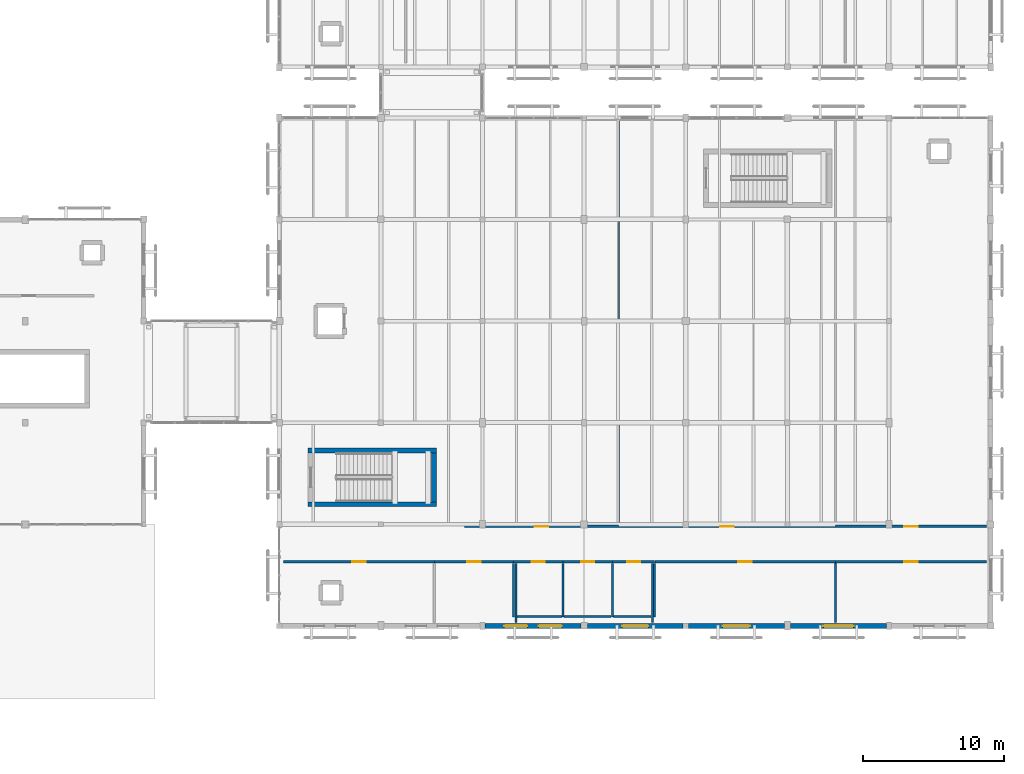
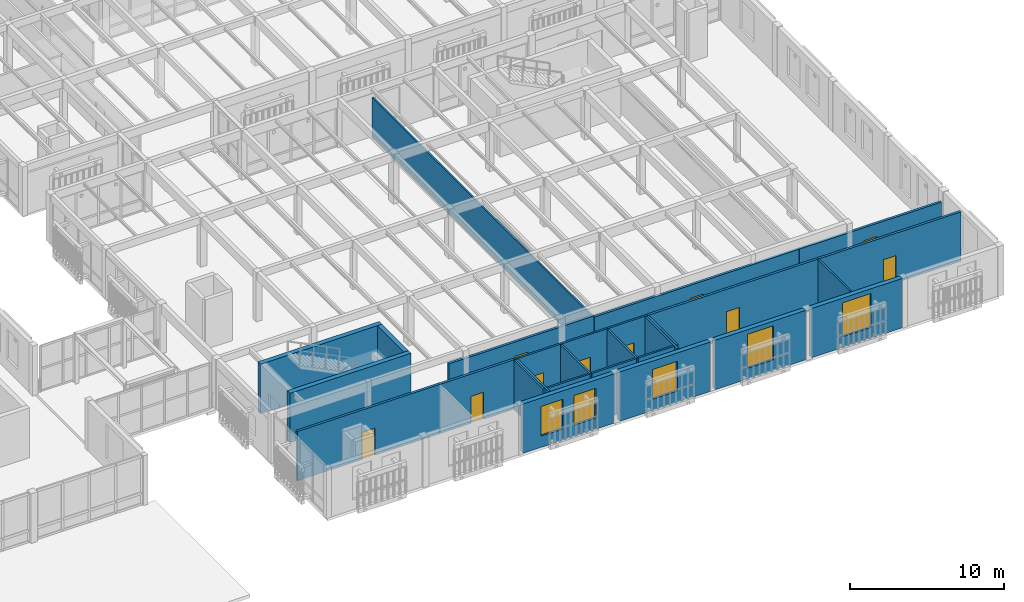
# One storey, part 184 of 217: 28 walls, 10 doors, 5 windows, 15 openings.
"""IFC4 building model written with IfcOpenShell, lengths in metres."""

from ifc_helpers import new_model, si_unit, direction, frame, frame_2d, origin, place, context, subcontext, project, spatial, rectangle, extrude, material, layer, layer_set, type_object, element, fill, save


model = new_model("IFC4")

# Units and contexts
model_context = context("Model", 3, precision=1e-05, world=origin(), true_north=direction((0.0, 1.0)))
body_context = subcontext(model_context, "Body", "Model", "MODEL_VIEW")
ifc_project = project(units=[si_unit("LENGTHUNIT", "METRE"), si_unit("AREAUNIT", "SQUARE_METRE"), si_unit("VOLUMEUNIT", "CUBIC_METRE"), si_unit("PLANEANGLEUNIT", "RADIAN"), si_unit("MASSUNIT", "GRAM", prefix="KILO")], contexts=[model_context])

# Site, building, storey
site_placement = place(None, origin())
site = spatial("IfcSite", under=ifc_project, at=site_placement, CompositionType="ELEMENT")
building_placement = place(site_placement, origin())
building = spatial("IfcBuilding", under=site, at=building_placement, Name="Mazaris Harbour Polytechnic", CompositionType="ELEMENT")
storey_placement = place(building_placement, frame((0.0, 0.0, 9.60009765625)))
storey = spatial("IfcBuildingStorey", under=building, at=storey_placement, Name="L02", CompositionType="ELEMENT", Elevation=9.60009765625)

# Walls
ifc_material_1 = material(Name="Gypsum Board and Mineral Wool")
ifc_layer_1 = layer(ifc_material_1, 0.1201171875, Name="Gypsum Board and Mineral Wool")
ifc_layer_set_1 = layer_set([ifc_layer_1], Name="Gypsum Board and Mineral Wool")
wall_type_1 = type_object("IfcWallType", Name="Acoustic Stud Partition 120", PredefinedType="PARTITIONING", material=ifc_layer_set_1)
wall_1_placement = place(storey_placement, frame((161.81396484375, 7.449951171875, 0.0), z_axis=(0.0, 0.0, 1.0), x_axis=(0.0, 1.0, 0.0)))
element("IfcWall", 1, at=wall_1_placement, inside=storey, type_object=wall_type_1, Name="V2 L02 Partition 148", PredefinedType="PARTITIONING", context=body_context, shape_type="SweptSolid", body=[
    extrude(rectangle(XDim=4.179931640625, YDim=0.1201171875, at=frame_2d((2.08984375, 0.0))), origin(), (0.0, 0.0, 1.0), 3.919921875),
])
wall_2_placement = place(storey_placement, frame((146.425048828125, 14.3701171875, 0.0), z_axis=(0.0, 0.0, 1.0), x_axis=(0.0, 1.0, 0.0)))
element("IfcWall", 2, at=wall_2_placement, inside=storey, type_object=wall_type_1, Name="V2 L02 Partition 151", PredefinedType="PARTITIONING", context=body_context, shape_type="SweptSolid", body=[
    extrude(rectangle(XDim=28.579833984375, YDim=0.1201171875, at=frame_2d((14.2900390625, 0.0))), origin(), (0.0, 0.0, 1.0), 3.179931640625),
])
ifc_material_2 = material(Name="Double Gypsum and Mineral Wool")
ifc_layer_2 = layer(ifc_material_2, 0.14990234375, Name="Double Gypsum and Mineral Wool")
ifc_layer_set_2 = layer_set([ifc_layer_2], Name="Double Gypsum and Mineral Wool")
wall_type_2 = type_object("IfcWallType", Name="Classroom Acoustic Partition 150", PredefinedType="PARTITIONING", material=ifc_layer_set_2)
for number, where, z_axis, x_axis, name in (
    (3, (139.159912109375, 7.449951171875, 0.0), (0.0, 0.0, 1.0), (0.0, 1.0, 0.0), "V2 L02 Partition 145"),
    (4, (148.840087890625, 7.449951171875, 0.0), (0.0, 0.0, 1.0), (0.0, 1.0, 0.0), "V2 L02 Partition 147"),
):
    element("IfcWall", number, at=place(storey_placement, frame(where, z_axis=z_axis, x_axis=x_axis)), inside=storey, type_object=wall_type_2, Name=name, PredefinedType="PARTITIONING", context=body_context, shape_type="SweptSolid", body=[
        extrude(rectangle(XDim=4.179931640625, YDim=0.14990234375, at=frame_2d((2.08984375, 0.0))), origin(), (0.0, 0.0, 1.0), 3.919921875),
    ])

# Wall, opening, door
ifc_material_3 = material(Name="Terracotta Block and Plaster", Category="masonry")
ifc_layer_3 = layer(ifc_material_3, 0.179931640625, Name="Terracotta Block and Plaster")
ifc_layer_set_3 = layer_set([ifc_layer_3], Name="Terracotta Block and Plaster")
wall_type_3 = type_object("IfcWallType", Name="Corridor Fire Partition 180", PredefinedType="PARTITIONING", material=ifc_layer_set_3)
wall_3_placement = place(storey_placement, frame((122.699951171875, 11.75, 0.0), z_axis=(0.0, 0.0, 1.0), x_axis=(1.0, 0.0, 0.0)))
wall_3 = element("IfcWall", 5, at=wall_3_placement, inside=storey, type_object=wall_type_3, Name="V2 L02 Partition 142", PredefinedType="PARTITIONING", context=body_context, shape_type="SweptSolid", body=[
    extrude(rectangle(XDim=10.68701171875, YDim=0.179931640625, at=frame_2d((5.343505859375, 0.0))), origin(), (0.0, 0.0, 1.0), 3.919921875),
])
opening_1_placement = place(wall_3_placement, frame((4.863525390625, 0.0, 0.0)))
opening_1 = element("IfcOpeningElement", 6, at=opening_1_placement, cuts=wall_3, Name="Opening ID-01R", PredefinedType="OPENING", context=body_context, shape_type="SweptSolid", body=[
    extrude(rectangle(XDim=0.9599609375, YDim=2.14990234375, at=frame_2d((0.47998046875, 1.074951171875))), frame((0.0, 0.099853515625, 0.0), z_axis=(0.0, -1.0, 0.0), x_axis=(1.0, 0.0, 0.0)), (0.0, 0.0, 1.0), 0.199951171875),
])
ifc_material_4 = material(Name="Solid Oak Timber", Category="wood")
door_type_1 = type_object("IfcDoorType", Name="Classroom Single Door RH 960x2150", OperationType="SINGLE_SWING_RIGHT", PredefinedType="DOOR", material=ifc_material_4)
door_1_placement = place(opening_1_placement, origin())
door_1 = element("IfcDoor", 7, at=door_1_placement, inside=storey, type_object=door_type_1, Name="ID-0067", OperationType="SINGLE_SWING_RIGHT", OverallHeight=2.14990234375, OverallWidth=0.9599609375, PredefinedType="DOOR", context=body_context, shape_type="SweptSolid", body=[
    extrude(rectangle(XDim=0.9599609375, YDim=2.14990234375, at=frame_2d((0.47998046875, 1.074951171875))), frame((0.0, 0.02490234375, 0.0), z_axis=(0.0, -1.0, 0.0), x_axis=(1.0, 0.0, 0.0)), (0.0, 0.0, 1.0), 0.050048828125),
])
fill(opening_1, door_1)

wall_4_placement = place(storey_placement, frame((133.39208984375, 11.75, 0.0), z_axis=(0.0, 0.0, 1.0), x_axis=(1.0, 0.0, 0.0)))
wall_4 = element("IfcWall", 8, at=wall_4_placement, inside=storey, type_object=wall_type_3, Name="V2 L02 Partition 144", PredefinedType="PARTITIONING", context=body_context, shape_type="SweptSolid", body=[
    extrude(rectangle(XDim=5.60302734375, YDim=0.179931640625, at=frame_2d((2.801513671875, 0.0))), origin(), (0.0, 0.0, 1.0), 3.919921875),
])
opening_2_placement = place(wall_4_placement, frame((2.326416015625, 0.0, 0.0)))
opening_2 = element("IfcOpeningElement", 9, at=opening_2_placement, cuts=wall_4, Name="Opening ID-01L", PredefinedType="OPENING", context=body_context, shape_type="SweptSolid", body=[
    extrude(rectangle(XDim=0.949951171875, YDim=2.14990234375, at=frame_2d((0.47509765625, 1.074951171875))), frame((0.0, 0.099853515625, 0.0), z_axis=(0.0, -1.0, 0.0), x_axis=(1.0, 0.0, 0.0)), (0.0, 0.0, 1.0), 0.199951171875),
])
ifc_material_5 = material(Name="Solid Oak Timber", Category="wood")
door_type_2 = type_object("IfcDoorType", Name="Classroom Single Door LH 950x2150", OperationType="SINGLE_SWING_LEFT", PredefinedType="DOOR", material=ifc_material_5)
door_2_placement = place(opening_2_placement, origin())
door_2 = element("IfcDoor", 10, at=door_2_placement, inside=storey, type_object=door_type_2, Name="ID-0068", OperationType="SINGLE_SWING_LEFT", OverallHeight=2.14990234375, OverallWidth=0.949951171875, PredefinedType="DOOR", context=body_context, shape_type="SweptSolid", body=[
    extrude(rectangle(XDim=0.949951171875, YDim=2.14990234375, at=frame_2d((0.47509765625, 1.074951171875))), frame((0.0, 0.02490234375, 0.0), z_axis=(0.0, -1.0, 0.0), x_axis=(1.0, 0.0, 0.0)), (0.0, 0.0, 1.0), 0.050048828125),
])
fill(opening_2, door_2)

wall_5_placement = place(storey_placement, frame((149.0048828125, 11.75, 0.0), z_axis=(0.0, 0.0, 1.0), x_axis=(1.0, 0.0, 0.0)))
wall_5 = element("IfcWall", 11, at=wall_5_placement, inside=storey, type_object=wall_type_3, Name="V2 L02 Partition 146", PredefinedType="PARTITIONING", context=body_context, shape_type="SweptSolid", body=[
    extrude(rectangle(XDim=12.80908203125, YDim=0.179931640625, at=frame_2d((6.404541015625, 0.0))), origin(), (0.0, 0.0, 1.0), 3.919921875),
])
opening_3_placement = place(wall_5_placement, frame((5.924560546875, 0.0, 0.0)))
opening_3 = element("IfcOpeningElement", 12, at=opening_3_placement, cuts=wall_5, Name="Opening ID-01R", PredefinedType="OPENING", context=body_context, shape_type="SweptSolid", body=[
    extrude(rectangle(XDim=0.9599609375, YDim=2.14990234375, at=frame_2d((0.47998046875, 1.074951171875))), frame((0.0, 0.099853515625, 0.0), z_axis=(0.0, -1.0, 0.0), x_axis=(1.0, 0.0, 0.0)), (0.0, 0.0, 1.0), 0.199951171875),
])
door_3_placement = place(opening_3_placement, origin())
door_3 = element("IfcDoor", 13, at=door_3_placement, inside=storey, type_object=door_type_1, Name="ID-0069", OperationType="SINGLE_SWING_RIGHT", OverallHeight=2.14990234375, OverallWidth=0.9599609375, PredefinedType="DOOR", context=body_context, shape_type="SweptSolid", body=[
    extrude(rectangle(XDim=0.9599609375, YDim=2.14990234375, at=frame_2d((0.47998046875, 1.074951171875))), frame((0.0, 0.02490234375, 0.0), z_axis=(0.0, -1.0, 0.0), x_axis=(1.0, 0.0, 0.0)), (0.0, 0.0, 1.0), 0.050048828125),
])
fill(opening_3, door_3)

wall_6_placement = place(storey_placement, frame((161.819091796875, 11.75, 0.0), z_axis=(0.0, 0.0, 1.0), x_axis=(1.0, 0.0, 0.0)))
wall_6 = element("IfcWall", 14, at=wall_6_placement, inside=storey, type_object=wall_type_3, Name="V2 L02 Partition 149", PredefinedType="PARTITIONING", context=body_context, shape_type="SweptSolid", body=[
    extrude(rectangle(XDim=10.681884765625, YDim=0.179931640625, at=frame_2d((5.3408203125, 0.0))), origin(), (0.0, 0.0, 1.0), 3.919921875),
])
opening_4_placement = place(wall_6_placement, frame((4.865966796875, 0.0, 0.0)))
opening_4 = element("IfcOpeningElement", 15, at=opening_4_placement, cuts=wall_6, Name="Opening ID-01L", PredefinedType="OPENING", context=body_context, shape_type="SweptSolid", body=[
    extrude(rectangle(XDim=0.949951171875, YDim=2.14990234375, at=frame_2d((0.47509765625, 1.074951171875))), frame((0.0, 0.099853515625, 0.0), z_axis=(0.0, -1.0, 0.0), x_axis=(1.0, 0.0, 0.0)), (0.0, 0.0, 1.0), 0.199951171875),
])
door_4_placement = place(opening_4_placement, origin())
door_4 = element("IfcDoor", 16, at=door_4_placement, inside=storey, type_object=door_type_2, Name="ID-0070", OperationType="SINGLE_SWING_LEFT", OverallHeight=2.14990234375, OverallWidth=0.949951171875, PredefinedType="DOOR", context=body_context, shape_type="SweptSolid", body=[
    extrude(rectangle(XDim=0.949951171875, YDim=2.14990234375, at=frame_2d((0.47509765625, 1.074951171875))), frame((0.0, 0.02490234375, 0.0), z_axis=(0.0, -1.0, 0.0), x_axis=(1.0, 0.0, 0.0)), (0.0, 0.0, 1.0), 0.050048828125),
])
fill(opening_4, door_4)

wall_7_placement = place(storey_placement, frame((135.52001953125, 14.25, 0.0), z_axis=(0.0, 0.0, 1.0), x_axis=(1.0, 0.0, 0.0)))
wall_7 = element("IfcWall", 17, at=wall_7_placement, inside=storey, type_object=wall_type_3, Name="V2 L02 Partition 150", PredefinedType="PARTITIONING", context=body_context, shape_type="SweptSolid", body=[
    extrude(rectangle(XDim=10.905029296875, YDim=0.179931640625, at=frame_2d((5.45263671875, 0.0))), origin(), (0.0, 0.0, 1.0), 3.27978515625),
])
opening_5_placement = place(wall_7_placement, frame((4.9775390625, 0.0, 0.0)))
opening_5 = element("IfcOpeningElement", 18, at=opening_5_placement, cuts=wall_7, Name="Opening ID-01L", PredefinedType="OPENING", context=body_context, shape_type="SweptSolid", body=[
    extrude(rectangle(XDim=0.949951171875, YDim=2.14990234375, at=frame_2d((0.47509765625, 1.074951171875))), frame((0.0, 0.099853515625, 0.0), z_axis=(0.0, -1.0, 0.0), x_axis=(1.0, 0.0, 0.0)), (0.0, 0.0, 1.0), 0.199951171875),
])
door_5_placement = place(opening_5_placement, origin())
door_5 = element("IfcDoor", 19, at=door_5_placement, inside=storey, type_object=door_type_2, Name="ID-0071", OperationType="SINGLE_SWING_LEFT", OverallHeight=2.14990234375, OverallWidth=0.949951171875, PredefinedType="DOOR", context=body_context, shape_type="SweptSolid", body=[
    extrude(rectangle(XDim=0.949951171875, YDim=2.14990234375, at=frame_2d((0.47509765625, 1.074951171875))), frame((0.0, 0.02490234375, 0.0), z_axis=(0.0, -1.0, 0.0), x_axis=(1.0, 0.0, 0.0)), (0.0, 0.0, 1.0), 0.050048828125),
])
fill(opening_5, door_5)

wall_8_placement = place(storey_placement, frame((146.429931640625, 14.25, 0.0), z_axis=(0.0, 0.0, 1.0), x_axis=(1.0, 0.0, 0.0)))
wall_8 = element("IfcWall", 20, at=wall_8_placement, inside=storey, type_object=wall_type_3, Name="V2 L02 Partition 152", PredefinedType="PARTITIONING", context=body_context, shape_type="SweptSolid", body=[
    extrude(rectangle(XDim=15.384033203125, YDim=0.179931640625, at=frame_2d((7.69189453125, 0.0))), origin(), (0.0, 0.0, 1.0), 3.179931640625),
])
opening_6_placement = place(wall_8_placement, frame((7.2119140625, 0.0, 0.0)))
opening_6 = element("IfcOpeningElement", 21, at=opening_6_placement, cuts=wall_8, Name="Opening ID-01R", PredefinedType="OPENING", context=body_context, shape_type="SweptSolid", body=[
    extrude(rectangle(XDim=0.9599609375, YDim=2.14990234375, at=frame_2d((0.47998046875, 1.074951171875))), frame((0.0, 0.099853515625, 0.0), z_axis=(0.0, -1.0, 0.0), x_axis=(1.0, 0.0, 0.0)), (0.0, 0.0, 1.0), 0.199951171875),
])
door_6_placement = place(opening_6_placement, origin())
door_6 = element("IfcDoor", 22, at=door_6_placement, inside=storey, type_object=door_type_1, Name="ID-0072", OperationType="SINGLE_SWING_RIGHT", OverallHeight=2.14990234375, OverallWidth=0.9599609375, PredefinedType="DOOR", context=body_context, shape_type="SweptSolid", body=[
    extrude(rectangle(XDim=0.9599609375, YDim=2.14990234375, at=frame_2d((0.47998046875, 1.074951171875))), frame((0.0, 0.02490234375, 0.0), z_axis=(0.0, -1.0, 0.0), x_axis=(1.0, 0.0, 0.0)), (0.0, 0.0, 1.0), 0.050048828125),
])
fill(opening_6, door_6)

wall_9_placement = place(storey_placement, frame((161.819091796875, 14.25, 0.0), z_axis=(0.0, 0.0, 1.0), x_axis=(1.0, 0.0, 0.0)))
wall_9 = element("IfcWall", 23, at=wall_9_placement, inside=storey, type_object=wall_type_3, Name="V2 L02 Partition 154", PredefinedType="PARTITIONING", context=body_context, shape_type="SweptSolid", body=[
    extrude(rectangle(XDim=10.681884765625, YDim=0.179931640625, at=frame_2d((5.3408203125, 0.0))), origin(), (0.0, 0.0, 1.0), 3.179931640625),
])
opening_7_placement = place(wall_9_placement, frame((4.865966796875, 0.0, 0.0)))
opening_7 = element("IfcOpeningElement", 24, at=opening_7_placement, cuts=wall_9, Name="Opening ID-01L", PredefinedType="OPENING", context=body_context, shape_type="SweptSolid", body=[
    extrude(rectangle(XDim=0.949951171875, YDim=2.14990234375, at=frame_2d((0.47509765625, 1.074951171875))), frame((0.0, 0.099853515625, 0.0), z_axis=(0.0, -1.0, 0.0), x_axis=(1.0, 0.0, 0.0)), (0.0, 0.0, 1.0), 0.199951171875),
])
door_7_placement = place(opening_7_placement, origin())
door_7 = element("IfcDoor", 25, at=door_7_placement, inside=storey, type_object=door_type_2, Name="ID-0073", OperationType="SINGLE_SWING_LEFT", OverallHeight=2.14990234375, OverallWidth=0.949951171875, PredefinedType="DOOR", context=body_context, shape_type="SweptSolid", body=[
    extrude(rectangle(XDim=0.949951171875, YDim=2.14990234375, at=frame_2d((0.47509765625, 1.074951171875))), frame((0.0, 0.02490234375, 0.0), z_axis=(0.0, -1.0, 0.0), x_axis=(1.0, 0.0, 0.0)), (0.0, 0.0, 1.0), 0.050048828125),
])
fill(opening_7, door_7)

# Wall, openings, windows
ifc_material_6 = material(Name="Algerian Buff Limestone and Concrete C30/37", Category="masonry")
ifc_layer_4 = layer(ifc_material_6, 0.344970703125, Name="Algerian Buff Limestone and Concrete C30/37")
ifc_layer_set_4 = layer_set([ifc_layer_4], Name="Algerian Buff Limestone and Concrete C30/37")
wall_type_4 = type_object("IfcWallType", Name="Pavilion Gable Wall 345", PredefinedType="STANDARD", material=ifc_layer_set_4)
wall_10_placement = place(storey_placement, frame((143.778076171875, 7.199951171875, 0.0), z_axis=(0.0, 0.0, 1.0), x_axis=(-1.0, 0.0, 0.0)))
wall_10 = element("IfcWall", 26, at=wall_10_placement, inside=storey, type_object=wall_type_4, Name="V2 L02 Exterior Wall 69", PredefinedType="STANDARD", context=body_context, shape_type="SweptSolid", body=[
    extrude(rectangle(XDim=6.80615234375, YDim=0.344970703125, at=frame_2d((3.403076171875, 0.0))), origin(), (0.0, 0.0, 1.0), 3.919921875),
])
opening_8_placement = place(wall_10_placement, frame((1.35302734375, 0.0, 0.89990234375)))
opening_8 = element("IfcOpeningElement", 27, at=opening_8_placement, cuts=wall_10, Name="Opening WN-20", PredefinedType="OPENING", context=body_context, shape_type="SweptSolid", body=[
    extrude(rectangle(XDim=1.64990234375, YDim=2.35009765625, at=frame_2d((0.824951171875, 1.175048828125))), frame((0.0, 0.182373046875, 0.0), z_axis=(0.0, -1.0, 0.0), x_axis=(1.0, 0.0, 0.0)), (0.0, 0.0, 1.0), 0.364990234375),
])
opening_9_placement = place(wall_10_placement, frame((3.802978515625, 0.0, 0.89990234375)))
opening_9 = element("IfcOpeningElement", 28, at=opening_9_placement, cuts=wall_10, Name="Opening WN-20", PredefinedType="OPENING", context=body_context, shape_type="SweptSolid", body=[
    extrude(rectangle(XDim=1.64990234375, YDim=2.35009765625, at=frame_2d((0.824951171875, 1.175048828125))), frame((0.0, 0.182373046875, 0.0), z_axis=(0.0, -1.0, 0.0), x_axis=(1.0, 0.0, 0.0)), (0.0, 0.0, 1.0), 0.364990234375),
])
ifc_material_7 = material(Name="Thermally Broken Bronze Aluminium and Low-E Glass", Category="aluminium")
window_type_1 = type_object("IfcWindowType", Name="Courtyard Gallery Window 1650x2350", PartitioningType="DOUBLE_PANEL_VERTICAL", PredefinedType="WINDOW", material=ifc_material_7)
window_1_placement = place(opening_8_placement, origin())
window_1 = element("IfcWindow", 29, at=window_1_placement, inside=storey, type_object=window_type_1, Name="WN-0063", OverallHeight=2.35009765625, OverallWidth=1.64990234375, PartitioningType="DOUBLE_PANEL_VERTICAL", PredefinedType="WINDOW", context=body_context, shape_type="SweptSolid", body=[
    extrude(rectangle(XDim=1.64990234375, YDim=2.35009765625, at=frame_2d((0.824951171875, 1.175048828125))), frame((0.0, 0.030029296875, 0.0), z_axis=(0.0, -1.0, 0.0), x_axis=(1.0, 0.0, 0.0)), (0.0, 0.0, 1.0), 0.06005859375),
])
fill(opening_8, window_1)
window_2_placement = place(opening_9_placement, origin())
window_2 = element("IfcWindow", 30, at=window_2_placement, inside=storey, type_object=window_type_1, Name="WN-0064", OverallHeight=2.35009765625, OverallWidth=1.64990234375, PartitioningType="DOUBLE_PANEL_VERTICAL", PredefinedType="WINDOW", context=body_context, shape_type="SweptSolid", body=[
    extrude(rectangle(XDim=1.64990234375, YDim=2.35009765625, at=frame_2d((0.824951171875, 1.175048828125))), frame((0.0, 0.030029296875, 0.0), z_axis=(0.0, -1.0, 0.0), x_axis=(1.0, 0.0, 0.0)), (0.0, 0.0, 1.0), 0.06005859375),
])
fill(opening_9, window_2)

# Wall, opening, window
wall_11_placement = place(storey_placement, frame((151.01806640625, 7.199951171875, 0.0), z_axis=(0.0, 0.0, 1.0), x_axis=(-1.0, 0.0, 0.0)))
wall_11 = element("IfcWall", 31, at=wall_11_placement, inside=storey, type_object=wall_type_4, Name="V2 L02 Exterior Wall 70", PredefinedType="STANDARD", context=body_context, shape_type="SweptSolid", body=[
    extrude(rectangle(XDim=6.796142578125, YDim=0.344970703125, at=frame_2d((3.39794921875, 0.0))), origin(), (0.0, 0.0, 1.0), 3.919921875),
])
opening_10_placement = place(wall_11_placement, frame((2.472900390625, 0.0, 0.89990234375)))
opening_10 = element("IfcOpeningElement", 32, at=opening_10_placement, cuts=wall_11, Name="Opening WN-21", PredefinedType="OPENING", context=body_context, shape_type="SweptSolid", body=[
    extrude(rectangle(XDim=1.85009765625, YDim=2.35009765625, at=frame_2d((0.925048828125, 1.175048828125))), frame((0.0, 0.182373046875, 0.0), z_axis=(0.0, -1.0, 0.0), x_axis=(1.0, 0.0, 0.0)), (0.0, 0.0, 1.0), 0.364990234375),
])
ifc_material_8 = material(Name="Thermally Broken Bronze Aluminium and Low-E Glass", Category="aluminium")
window_type_2 = type_object("IfcWindowType", Name="Courtyard Gallery Window 1850x2350", PartitioningType="DOUBLE_PANEL_VERTICAL", PredefinedType="WINDOW", material=ifc_material_8)
window_3_placement = place(opening_10_placement, origin())
window_3 = element("IfcWindow", 33, at=window_3_placement, inside=storey, type_object=window_type_2, Name="WN-0065", OverallHeight=2.35009765625, OverallWidth=1.85009765625, PartitioningType="DOUBLE_PANEL_VERTICAL", PredefinedType="WINDOW", context=body_context, shape_type="SweptSolid", body=[
    extrude(rectangle(XDim=1.85009765625, YDim=2.35009765625, at=frame_2d((0.925048828125, 1.175048828125))), frame((0.0, 0.030029296875, 0.0), z_axis=(0.0, -1.0, 0.0), x_axis=(1.0, 0.0, 0.0)), (0.0, 0.0, 1.0), 0.06005859375),
])
fill(opening_10, window_3)

wall_12_placement = place(storey_placement, frame((158.18798828125, 7.199951171875, 0.0), z_axis=(0.0, 0.0, 1.0), x_axis=(-1.0, 0.0, 0.0)))
wall_12 = element("IfcWall", 34, at=wall_12_placement, inside=storey, type_object=wall_type_4, Name="V2 L02 Exterior Wall 71", PredefinedType="STANDARD", context=body_context, shape_type="SweptSolid", body=[
    extrude(rectangle(XDim=6.805908203125, YDim=0.344970703125, at=frame_2d((3.40283203125, 0.0))), origin(), (0.0, 0.0, 1.0), 3.919921875),
])
opening_11_placement = place(wall_12_placement, frame((2.427978515625, 0.0, 0.85009765625)))
opening_11 = element("IfcOpeningElement", 35, at=opening_11_placement, cuts=wall_12, Name="Opening WN-22", PredefinedType="OPENING", context=body_context, shape_type="SweptSolid", body=[
    extrude(rectangle(XDim=1.949951171875, YDim=2.699951171875, at=frame_2d((0.97509765625, 1.35009765625))), frame((0.0, 0.182373046875, 0.0), z_axis=(0.0, -1.0, 0.0), x_axis=(1.0, 0.0, 0.0)), (0.0, 0.0, 1.0), 0.364990234375),
])
ifc_material_9 = material(Name="Thermally Broken Bronze Aluminium and Low-E Glass", Category="aluminium")
window_type_3 = type_object("IfcWindowType", Name="Harbour Promenade Window 1950x2700", PartitioningType="DOUBLE_PANEL_VERTICAL", PredefinedType="WINDOW", material=ifc_material_9)
window_4_placement = place(opening_11_placement, origin())
window_4 = element("IfcWindow", 36, at=window_4_placement, inside=storey, type_object=window_type_3, Name="WN-0066", OverallHeight=2.699951171875, OverallWidth=1.949951171875, PartitioningType="DOUBLE_PANEL_VERTICAL", PredefinedType="WINDOW", context=body_context, shape_type="SweptSolid", body=[
    extrude(rectangle(XDim=1.949951171875, YDim=2.699951171875, at=frame_2d((0.97509765625, 1.35009765625))), frame((0.0, 0.030029296875, 0.0), z_axis=(0.0, -1.0, 0.0), x_axis=(1.0, 0.0, 0.0)), (0.0, 0.0, 1.0), 0.06005859375),
])
fill(opening_11, window_4)

wall_13_placement = place(storey_placement, frame((165.427978515625, 7.199951171875, 0.0), z_axis=(0.0, 0.0, 1.0), x_axis=(-1.0, 0.0, 0.0)))
wall_13 = element("IfcWall", 37, at=wall_13_placement, inside=storey, type_object=wall_type_4, Name="V2 L02 Exterior Wall 72", PredefinedType="STANDARD", context=body_context, shape_type="SweptSolid", body=[
    extrude(rectangle(XDim=6.81591796875, YDim=0.344970703125, at=frame_2d((3.407958984375, 0.0))), origin(), (0.0, 0.0, 1.0), 3.919921875),
])
opening_12_placement = place(wall_13_placement, frame((2.3330078125, 0.0, 0.85009765625)))
opening_12 = element("IfcOpeningElement", 38, at=opening_12_placement, cuts=wall_13, Name="Opening WN-23", PredefinedType="OPENING", context=body_context, shape_type="SweptSolid", body=[
    extrude(rectangle(XDim=2.14990234375, YDim=2.699951171875, at=frame_2d((1.074951171875, 1.35009765625))), frame((0.0, 0.182373046875, 0.0), z_axis=(0.0, -1.0, 0.0), x_axis=(1.0, 0.0, 0.0)), (0.0, 0.0, 1.0), 0.364990234375),
])
ifc_material_10 = material(Name="Thermally Broken Bronze Aluminium and Low-E Glass", Category="aluminium")
window_type_4 = type_object("IfcWindowType", Name="Harbour Promenade Window 2150x2700", PartitioningType="DOUBLE_PANEL_VERTICAL", PredefinedType="WINDOW", material=ifc_material_10)
window_5_placement = place(opening_12_placement, origin())
window_5 = element("IfcWindow", 39, at=window_5_placement, inside=storey, type_object=window_type_4, Name="WN-0067", OverallHeight=2.699951171875, OverallWidth=2.14990234375, PartitioningType="DOUBLE_PANEL_VERTICAL", PredefinedType="WINDOW", context=body_context, shape_type="SweptSolid", body=[
    extrude(rectangle(XDim=2.14990234375, YDim=2.699951171875, at=frame_2d((1.074951171875, 1.35009765625))), frame((0.0, 0.030029296875, 0.0), z_axis=(0.0, -1.0, 0.0), x_axis=(1.0, 0.0, 0.0)), (0.0, 0.0, 1.0), 0.06005859375),
])
fill(opening_12, window_5)

# Walls
ifc_material_11 = material(Name="Concrete C40/50", Category="concrete")
ifc_layer_5 = layer(ifc_material_11, 0.35009765625, Name="Concrete C40/50")
ifc_layer_set_5 = layer_set([ifc_layer_5], Name="Concrete C40/50")
wall_type_5 = type_object("IfcWallType", Name="RC Core Shear Wall 350", PredefinedType="SHEAR", material=ifc_layer_set_5)
for number, where, z_axis, x_axis, name in (
    (40, (124.449951171875, 15.824951171875, 0.0), (0.0, 0.0, 1.0), (1.0, 0.0, 0.0), "Core ST03 L02 Shear Wall S"),
    (41, (133.550048828125, 19.625, 0.0), (0.0, 0.0, 1.0), (-1.0, 0.0, 0.0), "Core ST03 L02 Shear Wall N"),
):
    element("IfcWall", number, at=place(storey_placement, frame(where, z_axis=z_axis, x_axis=x_axis)), inside=storey, type_object=wall_type_5, Name=name, PredefinedType="SHEAR", context=body_context, shape_type="SweptSolid", body=[
        extrude(rectangle(XDim=9.10009765625, YDim=0.35009765625, at=frame_2d((4.550048828125, 0.0))), origin(), (0.0, 0.0, 1.0), 3.919921875),
    ])
wall_14_placement = place(storey_placement, frame((133.375, 16.0, 0.0), z_axis=(0.0, 0.0, 1.0), x_axis=(0.0, 1.0, 0.0)))
element("IfcWall", 42, at=wall_14_placement, inside=storey, type_object=wall_type_5, Name="Core ST03 L02 Shear Wall E", PredefinedType="SHEAR", context=body_context, shape_type="SweptSolid", body=[
    extrude(rectangle(XDim=3.449951171875, YDim=0.35009765625, at=frame_2d((1.72509765625, 0.0))), origin(), (0.0, 0.0, 1.0), 3.919921875),
])

# Wall, opening, door
ifc_material_12 = material(Name="Moisture-Resistant Gypsum and Steel Stud", Category="steel")
ifc_layer_6 = layer(ifc_material_12, 0.14501953125, Name="Moisture-Resistant Gypsum and Steel Stud")
ifc_layer_set_6 = layer_set([ifc_layer_6], Name="Moisture-Resistant Gypsum and Steel Stud")
wall_type_6 = type_object("IfcWallType", Name="Sanitary Plumbing Wall 145", PredefinedType="PLUMBINGWALL", material=ifc_layer_set_6)
wall_15_placement = place(storey_placement, frame((139.0, 11.75, 0.0), z_axis=(0.0, 0.0, 1.0), x_axis=(1.0, 0.0, 0.0)))
wall_15 = element("IfcWall", 43, at=wall_15_placement, inside=storey, type_object=wall_type_6, Name="V2 L02 Partition 135", PredefinedType="PLUMBINGWALL", context=body_context, shape_type="SweptSolid", body=[
    extrude(rectangle(XDim=3.5, YDim=0.14501953125, at=frame_2d((1.75, 0.0))), origin(), (0.0, 0.0, 1.0), 3.919921875),
])
opening_13_placement = place(wall_15_placement, frame((1.300048828125, 0.0, 0.0)))
opening_13 = element("IfcOpeningElement", 44, at=opening_13_placement, cuts=wall_15, Name="Opening ID-07R", PredefinedType="OPENING", context=body_context, shape_type="SweptSolid", body=[
    extrude(rectangle(XDim=0.89990234375, YDim=2.10009765625, at=frame_2d((0.449951171875, 1.050048828125))), frame((0.0, 0.08251953125, 0.0), z_axis=(0.0, -1.0, 0.0), x_axis=(1.0, 0.0, 0.0)), (0.0, 0.0, 1.0), 0.1650390625),
])
ifc_material_13 = material(Name="Moisture-Resistant Laminate Timber", Category="wood")
door_type_3 = type_object("IfcDoorType", Name="Sanitary Room Door RH 900x2100", OperationType="SINGLE_SWING_RIGHT", PredefinedType="DOOR", material=ifc_material_13)
door_8_placement = place(opening_13_placement, origin())
door_8 = element("IfcDoor", 45, at=door_8_placement, inside=storey, type_object=door_type_3, Name="ID-0064", OperationType="SINGLE_SWING_RIGHT", OverallHeight=2.10009765625, OverallWidth=0.89990234375, PredefinedType="DOOR", context=body_context, shape_type="SweptSolid", body=[
    extrude(rectangle(XDim=0.89990234375, YDim=2.10009765625, at=frame_2d((0.449951171875, 1.050048828125))), frame((0.0, 0.02490234375, 0.0), z_axis=(0.0, -1.0, 0.0), x_axis=(1.0, 0.0, 0.0)), (0.0, 0.0, 1.0), 0.050048828125),
])
fill(opening_13, door_8)

# Walls
for number, where, z_axis, x_axis, name in (
    (46, (139.0, 7.85009765625, 0.0), (0.0, 0.0, 1.0), (0.0, 1.0, 0.0), "V2 L02 Partition 136"),
    (47, (142.5, 7.85009765625, 0.0), (0.0, 0.0, 1.0), (0.0, 1.0, 0.0), "V2 L02 Partition 137"),
):
    element("IfcWall", number, at=place(storey_placement, frame(where, z_axis=z_axis, x_axis=x_axis)), inside=storey, type_object=wall_type_6, Name=name, PredefinedType="PLUMBINGWALL", context=body_context, shape_type="SweptSolid", body=[
        extrude(rectangle(XDim=3.77978515625, YDim=0.14501953125, at=frame_2d((1.889892578125, 0.0))), origin(), (0.0, 0.0, 1.0), 3.919921875),
    ])

# Wall, opening, door
wall_16_placement = place(storey_placement, frame((142.5048828125, 11.75, 0.0), z_axis=(0.0, 0.0, 1.0), x_axis=(1.0, 0.0, 0.0)))
wall_16 = element("IfcWall", 48, at=wall_16_placement, inside=storey, type_object=wall_type_6, Name="V2 L02 Partition 138", PredefinedType="PLUMBINGWALL", context=body_context, shape_type="SweptSolid", body=[
    extrude(rectangle(XDim=3.4951171875, YDim=0.14501953125, at=frame_2d((1.74755859375, 0.0))), origin(), (0.0, 0.0, 1.0), 3.919921875),
])
opening_14_placement = place(wall_16_placement, frame((1.297607421875, 0.0, 0.0)))
opening_14 = element("IfcOpeningElement", 49, at=opening_14_placement, cuts=wall_16, Name="Opening ID-07R", PredefinedType="OPENING", context=body_context, shape_type="SweptSolid", body=[
    extrude(rectangle(XDim=0.89990234375, YDim=2.10009765625, at=frame_2d((0.449951171875, 1.050048828125))), frame((0.0, 0.08251953125, 0.0), z_axis=(0.0, -1.0, 0.0), x_axis=(1.0, 0.0, 0.0)), (0.0, 0.0, 1.0), 0.1650390625),
])
door_9_placement = place(opening_14_placement, origin())
door_9 = element("IfcDoor", 50, at=door_9_placement, inside=storey, type_object=door_type_3, Name="ID-0065", OperationType="SINGLE_SWING_RIGHT", OverallHeight=2.10009765625, OverallWidth=0.89990234375, PredefinedType="DOOR", context=body_context, shape_type="SweptSolid", body=[
    extrude(rectangle(XDim=0.89990234375, YDim=2.10009765625, at=frame_2d((0.449951171875, 1.050048828125))), frame((0.0, 0.02490234375, 0.0), z_axis=(0.0, -1.0, 0.0), x_axis=(1.0, 0.0, 0.0)), (0.0, 0.0, 1.0), 0.050048828125),
])
fill(opening_14, door_9)

# Wall
wall_17_placement = place(storey_placement, frame((146.0, 7.85009765625, 0.0), z_axis=(0.0, 0.0, 1.0), x_axis=(0.0, 1.0, 0.0)))
element("IfcWall", 51, at=wall_17_placement, inside=storey, type_object=wall_type_6, Name="V2 L02 Partition 139", PredefinedType="PLUMBINGWALL", context=body_context, shape_type="SweptSolid", body=[
    extrude(rectangle(XDim=3.77978515625, YDim=0.14501953125, at=frame_2d((1.889892578125, 0.0))), origin(), (0.0, 0.0, 1.0), 3.919921875),
])

# Wall, opening, door
wall_18_placement = place(storey_placement, frame((146.0048828125, 11.75, 0.0), z_axis=(0.0, 0.0, 1.0), x_axis=(1.0, 0.0, 0.0)))
wall_18 = element("IfcWall", 52, at=wall_18_placement, inside=storey, type_object=wall_type_6, Name="V2 L02 Partition 140", PredefinedType="PLUMBINGWALL", context=body_context, shape_type="SweptSolid", body=[
    extrude(rectangle(XDim=2.9951171875, YDim=0.14501953125, at=frame_2d((1.49755859375, 0.0))), origin(), (0.0, 0.0, 1.0), 3.919921875),
])
opening_15_placement = place(wall_18_placement, frame((1.03759765625, 0.0, 0.0)))
opening_15 = element("IfcOpeningElement", 53, at=opening_15_placement, cuts=wall_18, Name="Opening ID-07L", PredefinedType="OPENING", context=body_context, shape_type="SweptSolid", body=[
    extrude(rectangle(XDim=0.919921875, YDim=2.10009765625, at=frame_2d((0.4599609375, 1.050048828125))), frame((0.0, 0.08251953125, 0.0), z_axis=(0.0, -1.0, 0.0), x_axis=(1.0, 0.0, 0.0)), (0.0, 0.0, 1.0), 0.1650390625),
])
ifc_material_14 = material(Name="Moisture-Resistant Laminate Timber", Category="wood")
door_type_4 = type_object("IfcDoorType", Name="Accessible Toilet Door LH 920x2100", OperationType="SINGLE_SWING_LEFT", PredefinedType="DOOR", material=ifc_material_14)
door_10_placement = place(opening_15_placement, origin())
door_10 = element("IfcDoor", 54, at=door_10_placement, inside=storey, type_object=door_type_4, Name="ID-0066", OperationType="SINGLE_SWING_LEFT", OverallHeight=2.10009765625, OverallWidth=0.919921875, PredefinedType="DOOR", context=body_context, shape_type="SweptSolid", body=[
    extrude(rectangle(XDim=0.919921875, YDim=2.10009765625, at=frame_2d((0.4599609375, 1.050048828125))), frame((0.0, 0.02490234375, 0.0), z_axis=(0.0, -1.0, 0.0), x_axis=(1.0, 0.0, 0.0)), (0.0, 0.0, 1.0), 0.050048828125),
])
fill(opening_15, door_10)

# Walls
wall_19_placement = place(storey_placement, frame((149.0, 7.85009765625, 0.0), z_axis=(0.0, 0.0, 1.0), x_axis=(0.0, 1.0, 0.0)))
element("IfcWall", 55, at=wall_19_placement, inside=storey, type_object=wall_type_6, Name="V2 L02 Partition 141", PredefinedType="PLUMBINGWALL", context=body_context, shape_type="SweptSolid", body=[
    extrude(rectangle(XDim=3.77978515625, YDim=0.14501953125, at=frame_2d((1.889892578125, 0.0))), origin(), (0.0, 0.0, 1.0), 3.919921875),
])
wall_20_placement = place(storey_placement, frame((139.2451171875, 7.85498046875, 0.0), z_axis=(0.0, 0.0, 1.0), x_axis=(1.0, 0.0, 0.0)))
element("IfcWall", 56, at=wall_20_placement, inside=storey, type_object=wall_type_6, Name="V2 L02 Sanitary Partition 713", PredefinedType="PLUMBINGWALL", context=body_context, shape_type="SweptSolid", body=[
    extrude(rectangle(XDim=3.17236328125, YDim=0.14501953125, at=frame_2d((1.586181640625, 0.0))), origin(), (0.0, 0.0, 1.0), 3.919921875),
])
wall_21_placement = place(storey_placement, frame((142.58251953125, 7.85498046875, 0.0), z_axis=(0.0, 0.0, 1.0), x_axis=(1.0, 0.0, 0.0)))
element("IfcWall", 57, at=wall_21_placement, inside=storey, type_object=wall_type_6, Name="V2 L02 Sanitary Partition 714", PredefinedType="PLUMBINGWALL", context=body_context, shape_type="SweptSolid", body=[
    extrude(rectangle(XDim=3.3349609375, YDim=0.14501953125, at=frame_2d((1.66748046875, 0.0))), origin(), (0.0, 0.0, 1.0), 3.919921875),
])
wall_22_placement = place(storey_placement, frame((146.08251953125, 7.85498046875, 0.0), z_axis=(0.0, 0.0, 1.0), x_axis=(1.0, 0.0, 0.0)))
element("IfcWall", 58, at=wall_22_placement, inside=storey, type_object=wall_type_6, Name="V2 L02 Sanitary Partition 715", PredefinedType="PLUMBINGWALL", context=body_context, shape_type="SweptSolid", body=[
    extrude(rectangle(XDim=2.67236328125, YDim=0.14501953125, at=frame_2d((1.336181640625, 0.0))), origin(), (0.0, 0.0, 1.0), 3.919921875),
])

save(model, "model.ifc")
